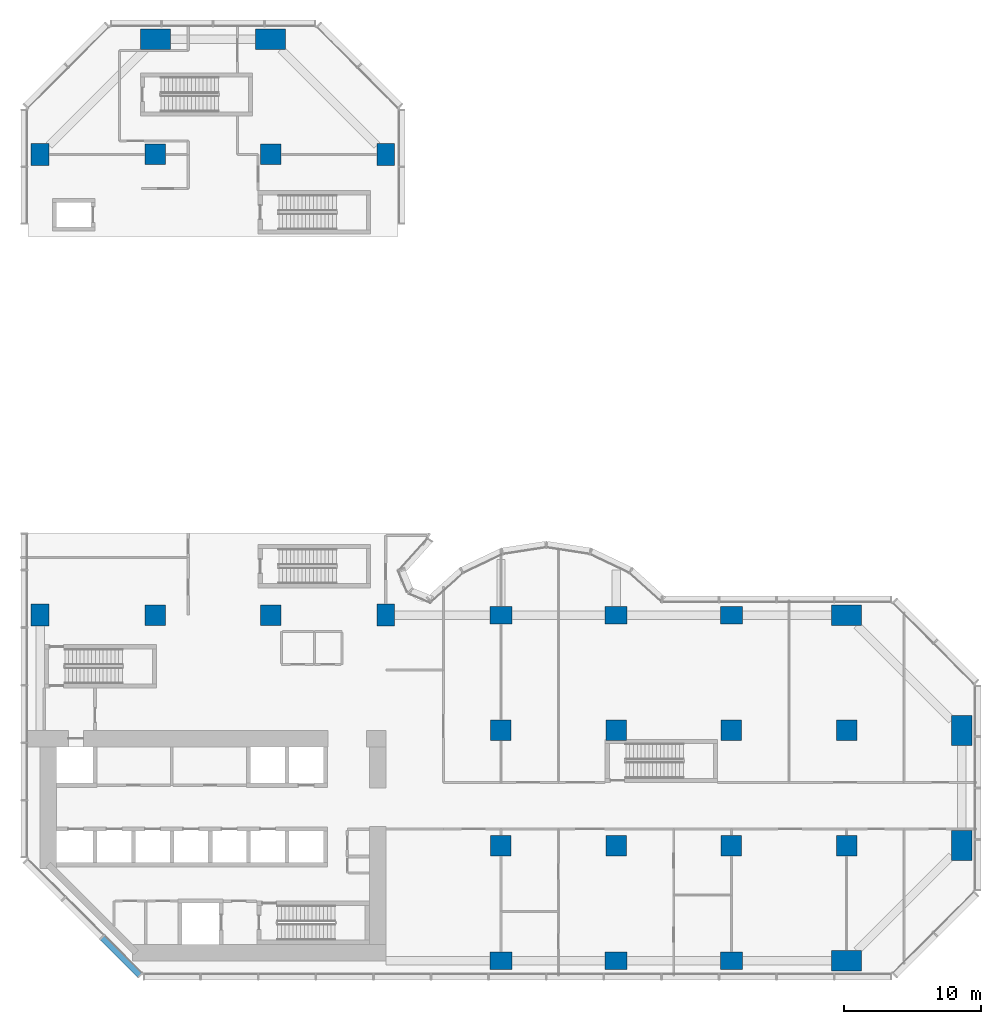
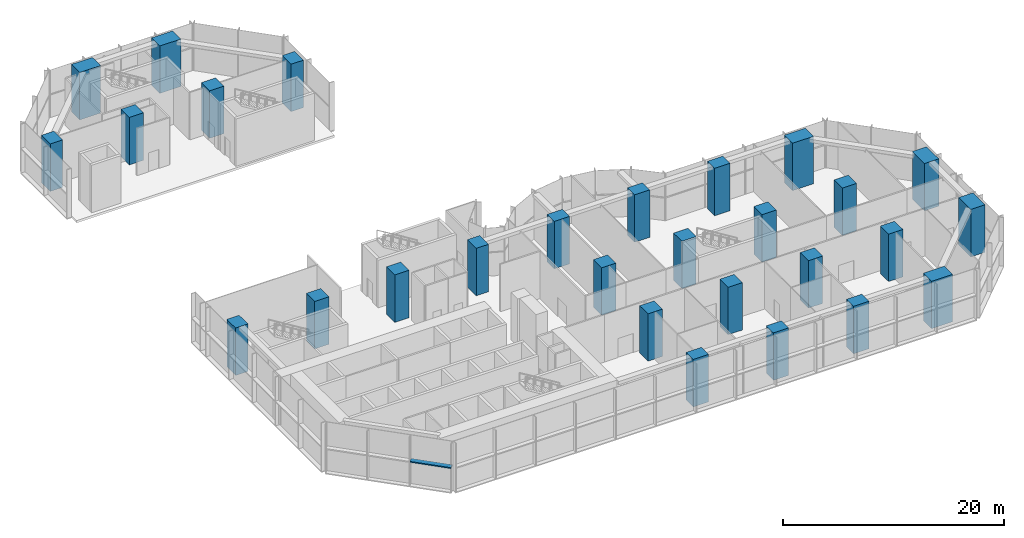
# One storey, part 1 of 16: 28 columns, 1 member, 1 element without a shape of its own.
"""IFC4 building model written with IfcOpenShell, lengths in metres."""

import ifcopenshell
import ifcopenshell.guid

model = None  # the IFC model being written
_history = None  # IfcOwnerHistory: only IFC2X3 demands one
_inside = {}  # id of a spatial element -> (the spatial element, [elements in it])
_under = {}  # id of a project, library or spatial element -> (it, [spatial elements below it])
_declared = {}  # id of a project -> (the project, [libraries it declares])
_typed = {}  # id of a type object -> (the type object, [elements of that type])
_made_of = {}  # id of a material, layer set ... -> (it, [elements and type objects made of it])


def new_model(schema):
    """Start an empty IFC model of exactly this schema.

    Asked for "IFC4X3", IfcOpenShell would pick the latest addendum, in which some entities
    have other attributes; the version numbers below select the first issue.
    IFC2X3 requires an IfcOwnerHistory on every rooted entity: one is made here for all.
    """
    global model, _history
    if schema == "IFC4X3":
        model = ifcopenshell.file(schema_version=(4, 3, 0, 0))
    else:
        model = ifcopenshell.file(schema=schema)
    _inside.clear()
    _under.clear()
    _declared.clear()
    _typed.clear()
    _made_of.clear()
    _history = None
    if model.schema == "IFC2X3":
        org = make("IfcOrganization", Name="unknown")
        user = make(
            "IfcPersonAndOrganization",
            ThePerson=make("IfcPerson", FamilyName="unknown"),
            TheOrganization=org,
        )
        app = make(
            "IfcApplication",
            ApplicationDeveloper=org,
            Version="unknown",
            ApplicationFullName="unknown",
            ApplicationIdentifier="unknown",
        )
        _history = make(
            "IfcOwnerHistory",
            OwningUser=user,
            OwningApplication=app,
            ChangeAction="ADDED",
            CreationDate=0,
        )
    return model


def make(cls, **values):
    """One entity of the class cls with the attributes given. An attribute that is None is left unset."""
    return model.create_entity(
        cls, **{name: value for name, value in values.items() if value is not None}
    )


def rooted(cls, **values):
    """An entity with a GlobalId (a new one), such as an element, a storey or a relation."""
    return make(cls, GlobalId=ifcopenshell.guid.new(), OwnerHistory=_history, **values)


def si_unit(unit_type, name, prefix=None):
    """IfcSIUnit, for example si_unit("LENGTHUNIT", "METRE", prefix="MILLI")."""
    return make("IfcSIUnit", UnitType=unit_type, Prefix=prefix, Name=name)


def assignment(units):
    """IfcUnitAssignment: the units of a project."""
    return None if units is None else make("IfcUnitAssignment", Units=units)


def point(xyz):
    """IfcCartesianPoint."""
    return None if xyz is None else make("IfcCartesianPoint", Coordinates=xyz)


def direction(xyz):
    """IfcDirection."""
    return None if xyz is None else make("IfcDirection", DirectionRatios=xyz)


def frame(location, z_axis=None, x_axis=None):
    """IfcAxis2Placement3D, a coordinate frame: its origin and axes. An axis left out is left unset."""
    return make(
        "IfcAxis2Placement3D",
        Location=point(location),
        Axis=direction(z_axis),
        RefDirection=direction(x_axis),
    )


def frame_2d(location, x_axis=None):
    """IfcAxis2Placement2D, a coordinate frame in the plane: its origin and x axis."""
    return make(
        "IfcAxis2Placement2D", Location=point(location), RefDirection=direction(x_axis)
    )


def origin():
    """The frame at (0, 0, 0) with its axes left unset."""
    return frame((0.0, 0.0, 0.0))


def origin_2d():
    """The frame at (0, 0) in the plane with its x axis left unset."""
    return frame_2d((0.0, 0.0))


def place(relative_to, where):
    """IfcLocalPlacement: puts the frame where relative to a parent placement (None: the world)."""
    return make(
        "IfcLocalPlacement", PlacementRelTo=relative_to, RelativePlacement=where
    )


def context(
    kind, dimensions, precision=None, world=None, true_north=None, identifier=None
):
    """IfcGeometricRepresentationContext, for example the 3D "Model" context."""
    return make(
        "IfcGeometricRepresentationContext",
        ContextIdentifier=identifier,
        ContextType=kind,
        CoordinateSpaceDimension=dimensions,
        Precision=precision,
        WorldCoordinateSystem=world,
        TrueNorth=true_north,
    )


def subcontext(parent, identifier, kind, view, scale=None):
    """IfcGeometricRepresentationSubContext, for example "Body" below "Model"."""
    return make(
        "IfcGeometricRepresentationSubContext",
        ContextIdentifier=identifier,
        ContextType=kind,
        ParentContext=parent,
        TargetScale=scale,
        TargetView=view,
    )


def project(units=None, contexts=None):
    """IfcProject with its units and contexts."""
    return rooted(
        "IfcProject",
        Name="project",
        RepresentationContexts=contexts,
        UnitsInContext=assignment(units),
    )


def spatial(cls, under=None, at=None, **own):
    """A site, building, storey or space (cls), placed at a placement, below another one or the project."""
    s = rooted(cls, ObjectPlacement=at, **own)
    if under is not None:
        _under.setdefault(under.id(), (under, []))[1].append(s)
    return s


def profile(cls, at=None, kind="AREA", **sizes):
    """A parametric profile (cls). Its sizes go by their IFC names, for example OverallWidth=200.0."""
    return make(cls, ProfileType=kind, Position=at, **sizes)


def rectangle(**sizes):
    """IfcRectangleProfileDef."""
    return profile("IfcRectangleProfileDef", **sizes)


def extrude(swept, where, along, depth):
    """IfcExtrudedAreaSolid: the profile swept, set in the frame where, extruded along a direction by depth."""
    return make(
        "IfcExtrudedAreaSolid",
        SweptArea=swept,
        Position=where,
        ExtrudedDirection=direction(along),
        Depth=depth,
    )


def shape(context_of_items, identifier, shape_type, items):
    """IfcShapeRepresentation: the items that make up one representation, for example the "Body"."""
    return make(
        "IfcShapeRepresentation",
        ContextOfItems=context_of_items,
        RepresentationIdentifier=identifier,
        RepresentationType=shape_type,
        Items=items,
    )


def material(Name=None, Category=None):
    """IfcMaterial."""
    return make("IfcMaterial", Name=Name, Category=Category)


def material_profile(
    of_material, cross_section, Name=None, Category=None, Priority=None
):
    """IfcMaterialProfile: a cross section and its material."""
    return make(
        "IfcMaterialProfile",
        Name=Name,
        Material=of_material,
        Profile=cross_section,
        Priority=Priority,
        Category=Category,
    )


def profile_set(profiles, Name=None, composite=None):
    """IfcMaterialProfileSet."""
    return make(
        "IfcMaterialProfileSet",
        Name=Name,
        MaterialProfiles=profiles,
        CompositeProfile=composite,
    )


def made_of(thing, what):
    """Note that an element or type object is made of a material, layer set ...; save() writes the relation."""
    if what is not None:
        _made_of.setdefault(what.id(), (what, []))[1].append(thing)
    return thing


def type_object(cls, material=None, **own):
    """A type object (cls), such as IfcWallType, which elements share."""
    return made_of(rooted(cls, **own), material)


def element(
    cls,
    number,
    at=None,
    inside=None,
    cuts=None,
    type_object=None,
    material=None,
    context=None,
    identifier="Body",
    shape_type=None,
    held_by="IfcProductDefinitionShape",
    body=None,
    shapes=None,
    **own,
):
    """One element of the class cls, such as IfcWall. Its Tag is "e" and its number.

    at: its placement. inside: the storey or other place that contains it. cuts: it is an
    opening in that element (IfcRelVoidsElement). A single representation is given by context,
    identifier, shape_type and body (its items); several are given by shapes. held_by: the class
    of the entity that holds the representations. save() writes the other relations.
    """
    e = rooted(cls, Tag="e%d" % number, ObjectPlacement=at, **own)
    if body is not None:
        shapes = [shape(context, identifier, shape_type, body)]
    if shapes is not None:
        e.Representation = make(held_by, Representations=shapes)
    if inside is not None:
        _inside.setdefault(inside.id(), (inside, []))[1].append(e)
    if cuts is not None:
        rooted(
            "IfcRelVoidsElement", RelatingBuildingElement=cuts, RelatedOpeningElement=e
        )
    if type_object is not None:
        _typed.setdefault(type_object.id(), (type_object, []))[1].append(e)
    return made_of(e, material)


def aggregate(whole, parts):
    """IfcRelAggregates: a whole, such as a stair, and the parts it consists of."""
    return rooted("IfcRelAggregates", RelatingObject=whole, RelatedObjects=parts)


def save(model, path):
    """Write the relations noted so far, then the file.

    IfcRelAggregates (storeys below a building ...), IfcRelContainedInSpatialStructure (elements
    in a storey), IfcRelDefinesByType, IfcRelAssociatesMaterial and IfcRelDeclares: one each for
    every whole, place, type object, material and project.
    """
    for whole, parts in _under.values():
        aggregate(whole, parts)
    for where, things in _inside.values():
        rooted(
            "IfcRelContainedInSpatialStructure",
            RelatedElements=things,
            RelatingStructure=where,
        )
    for kind, things in _typed.values():
        rooted("IfcRelDefinesByType", RelatedObjects=things, RelatingType=kind)
    for what, things in _made_of.values():
        rooted("IfcRelAssociatesMaterial", RelatedObjects=things, RelatingMaterial=what)
    for by, libraries in _declared.values():
        rooted("IfcRelDeclares", RelatingContext=by, RelatedDefinitions=libraries)
    model.write(path)


model = new_model("IFC4")

# Units and contexts
model_context = context("Model", 3, precision=1e-05, world=origin(), true_north=direction((0.0, 1.0)))
body_context = subcontext(model_context, "Body", "Model", "MODEL_VIEW")
ifc_project = project(units=[si_unit("LENGTHUNIT", "METRE"), si_unit("AREAUNIT", "SQUARE_METRE"), si_unit("VOLUMEUNIT", "CUBIC_METRE"), si_unit("PLANEANGLEUNIT", "RADIAN"), si_unit("MASSUNIT", "GRAM", prefix="KILO")], contexts=[model_context])

# Site, building, storey
site_placement = place(None, origin())
site = spatial("IfcSite", under=ifc_project, at=site_placement, CompositionType="ELEMENT")
building_placement = place(site_placement, origin())
building = spatial("IfcBuilding", under=site, at=building_placement, Name="Brevane Broadcast Tower", CompositionType="ELEMENT")
storey_placement = place(building_placement, frame((0.0, 0.0, 7.0)))
storey = spatial("IfcBuildingStorey", under=building, at=storey_placement, Name="L01", CompositionType="ELEMENT", Elevation=7.0)

# Columns
ifc_material_1 = material(Name="Concrete C80/95", Category="concrete")
ifc_material_profile_1 = material_profile(ifc_material_1, rectangle(XDim=1.300048828125, YDim=1.60009765625, at=origin_2d()), Name="RC 1300x1600")
ifc_profile_set_1 = profile_set([ifc_material_profile_1], Name="Concrete C80/95")
column_type_1 = type_object("IfcColumnType", Name="RC COLUMN EDGE 1300x1600 C80/95", PredefinedType="COLUMN", material=ifc_profile_set_1)
for number, where, z_axis, x_axis, name in (
    (1, (0.0, 25.199951171875, 0.0), (0.0, 0.0, 1.0), (1.0, 0.0, 0.0), "CE1 1/D"),
    (2, (0.0, 58.800048828125, 0.0), (0.0, 0.0, 1.0), (1.0, 0.0, 0.0), "CE1 1/H"),
    (3, (25.199951171875, 25.199951171875, 0.0), (0.0, 0.0, 1.0), (1.0, 0.0, 0.0), "CE1 4/D"),
    (4, (25.199951171875, 58.800048828125, 0.0), (0.0, 0.0, 1.0), (1.0, 0.0, 0.0), "CE1 4/H"),
    (5, (33.60009765625, 0.0, 0.0), (0.0, 0.0, 1.0), (0.0, 1.0, 0.0), "CE1 5/A"),
    (6, (33.60009765625, 25.199951171875, 0.0), (0.0, 0.0, 1.0), (0.0, 1.0, 0.0), "CE1 5/D"),
    (7, (42.0, 0.0, 0.0), (0.0, 0.0, 1.0), (0.0, 1.0, 0.0), "CE1 6/A"),
    (8, (42.0, 25.199951171875, 0.0), (0.0, 0.0, 1.0), (0.0, 1.0, 0.0), "CE1 6/D"),
    (9, (50.39990234375, 0.0, 0.0), (0.0, 0.0, 1.0), (0.0, 1.0, 0.0), "CE1 7/A"),
    (10, (50.39990234375, 25.199951171875, 0.0), (0.0, 0.0, 1.0), (0.0, 1.0, 0.0), "CE1 7/D"),
):
    element("IfcColumn", number, at=place(storey_placement, frame(where, z_axis=z_axis, x_axis=x_axis)), inside=storey, type_object=column_type_1, Name=name, PredefinedType="COLUMN", context=body_context, shape_type="SweptSolid", body=[
        extrude(rectangle(XDim=1.300048828125, YDim=1.60009765625, at=origin_2d()), origin(), (0.0, 0.0, 1.0), 5.25),
    ])
ifc_material_profile_2 = material_profile(ifc_material_1, rectangle(XDim=1.5, YDim=2.199951171875, at=origin_2d()), Name="RC 1500x2200")
ifc_profile_set_2 = profile_set([ifc_material_profile_2], Name="Concrete C80/95")
column_type_2 = type_object("IfcColumnType", Name="RC COLUMN EDGE 1500x2200 C80/95", PredefinedType="COLUMN", material=ifc_profile_set_2)
for number, where, z_axis, x_axis, name in (
    (11, (58.800048828125, 0.0, 0.0), (0.0, 0.0, 1.0), (0.0, 1.0, 0.0), "CE4 8/A"),
    (12, (58.800048828125, 25.199951171875, 0.0), (0.0, 0.0, 1.0), (0.0, 1.0, 0.0), "CE4 8/D"),
):
    element("IfcColumn", number, at=place(storey_placement, frame(where, z_axis=z_axis, x_axis=x_axis)), inside=storey, type_object=column_type_2, Name=name, PredefinedType="COLUMN", context=body_context, shape_type="SweptSolid", body=[
        extrude(rectangle(XDim=1.5, YDim=2.199951171875, at=origin_2d()), origin(), (0.0, 0.0, 1.0), 5.25),
    ])
ifc_material_profile_3 = material_profile(ifc_material_1, rectangle(XDim=1.5, YDim=1.5, at=origin_2d()), Name="RC 1500x1500")
ifc_profile_set_3 = profile_set([ifc_material_profile_3], Name="Concrete C80/95")
column_type_3 = type_object("IfcColumnType", Name="RC COLUMN INTERIOR 1500x1500 C80/95", PredefinedType="COLUMN", material=ifc_profile_set_3)
for number, where, z_axis, x_axis, name in (
    (13, (8.39990234375, 25.199951171875, 0.0), (0.0, 0.0, 1.0), (1.0, 0.0, 0.0), "CI2 2/D"),
    (14, (8.39990234375, 58.800048828125, 0.0), (0.0, 0.0, 1.0), (1.0, 0.0, 0.0), "CI2 2/H"),
    (15, (16.800048828125, 25.199951171875, 0.0), (0.0, 0.0, 1.0), (1.0, 0.0, 0.0), "CI2 3/D"),
    (16, (16.800048828125, 58.800048828125, 0.0), (0.0, 0.0, 1.0), (1.0, 0.0, 0.0), "CI2 3/H"),
    (17, (33.60009765625, 8.39990234375, 0.0), (0.0, 0.0, 1.0), (1.0, 0.0, 0.0), "CI2 5/B"),
    (18, (33.60009765625, 16.800048828125, 0.0), (0.0, 0.0, 1.0), (1.0, 0.0, 0.0), "CI2 5/C"),
    (19, (42.0, 8.39990234375, 0.0), (0.0, 0.0, 1.0), (1.0, 0.0, 0.0), "CI2 6/B"),
    (20, (42.0, 16.800048828125, 0.0), (0.0, 0.0, 1.0), (1.0, 0.0, 0.0), "CI2 6/C"),
    (21, (50.39990234375, 8.39990234375, 0.0), (0.0, 0.0, 1.0), (1.0, 0.0, 0.0), "CI2 7/B"),
    (22, (50.39990234375, 16.800048828125, 0.0), (0.0, 0.0, 1.0), (1.0, 0.0, 0.0), "CI2 7/C"),
    (23, (58.800048828125, 8.39990234375, 0.0), (0.0, 0.0, 1.0), (1.0, 0.0, 0.0), "CI2 8/B"),
    (24, (58.800048828125, 16.800048828125, 0.0), (0.0, 0.0, 1.0), (1.0, 0.0, 0.0), "CI2 8/C"),
):
    element("IfcColumn", number, at=place(storey_placement, frame(where, z_axis=z_axis, x_axis=x_axis)), inside=storey, type_object=column_type_3, Name=name, PredefinedType="COLUMN", context=body_context, shape_type="SweptSolid", body=[
        extrude(rectangle(XDim=1.5, YDim=1.5, at=origin_2d()), origin(), (0.0, 0.0, 1.0), 5.25),
    ])
ifc_material_profile_4 = material_profile(ifc_material_1, rectangle(XDim=1.5, YDim=2.199951171875, at=origin_2d()), Name="RC 1500x2200")
ifc_profile_set_4 = profile_set([ifc_material_profile_4], Name="Concrete C80/95")
column_type_4 = type_object("IfcColumnType", Name="RC COLUMN WING-END 1500x2200 C80/95", PredefinedType="COLUMN", material=ifc_profile_set_4)
for number, where, z_axis, x_axis, name in (
    (25, (8.39990234375, 67.199951171875, 0.0), (0.0, 0.0, 1.0), (0.0, 1.0, 0.0), "CW3 2/I"),
    (26, (16.800048828125, 67.199951171875, 0.0), (0.0, 0.0, 1.0), (0.0, 1.0, 0.0), "CW3 3/I"),
    (27, (67.199951171875, 8.39990234375, 0.0), (0.0, 0.0, 1.0), (1.0, 0.0, 0.0), "CW3 9/B"),
    (28, (67.199951171875, 16.800048828125, 0.0), (0.0, 0.0, 1.0), (1.0, 0.0, 0.0), "CW3 9/C"),
):
    element("IfcColumn", number, at=place(storey_placement, frame(where, z_axis=z_axis, x_axis=x_axis)), inside=storey, type_object=column_type_4, Name=name, PredefinedType="COLUMN", context=body_context, shape_type="SweptSolid", body=[
        extrude(rectangle(XDim=1.5, YDim=2.199951171875, at=origin_2d()), origin(), (0.0, 0.0, 1.0), 5.25),
    ])

# Curtain wall, member
ifc_material_2 = material(Name="Aluminium 6063-T6 bronze anodised", Category="aluminium")
curtain_wall_type = type_object("IfcCurtainWallType", Name="CW-2 curtain wall", PredefinedType="NOTDEFINED", material=ifc_material_2)
curtain_wall_placement = place(storey_placement, origin())
curtain_wall = element("IfcCurtainWall", 29, at=curtain_wall_placement, inside=storey, type_object=curtain_wall_type, Name="CW-2 podium base unit L01 south-west chamfer", PredefinedType="NOTDEFINED")
ifc_material_profile_5 = material_profile(ifc_material_2, rectangle(XDim=0.5, YDim=0.1201171875, at=origin_2d()), Name="RECT 120x500")
ifc_profile_set_5 = profile_set([ifc_material_profile_5], Name="Aluminium 6063-T6 bronze anodised")
member_type = type_object("IfcMemberType", Name="CW-2 transom 120x500", PredefinedType="USERDEFINED", material=ifc_profile_set_5)
member_placement = place(storey_placement, frame((4.554931640625, 1.69140625, 2.550048828125), z_axis=(0.707138323811, -0.707075237155, 0.0), x_axis=(0.707075237155, 0.707138323811, 0.0)))
member = element("IfcMember", 30, at=member_placement, type_object=member_type, Name="CW-2 transom", ObjectType="TRANSOM", PredefinedType="USERDEFINED", context=body_context, shape_type="SweptSolid", body=[
    extrude(rectangle(XDim=0.5, YDim=0.1201171875, at=origin_2d()), origin(), (0.0, 0.0, 1.0), 3.869873046875),
])
aggregate(curtain_wall, [member])

save(model, "model.ifc")
